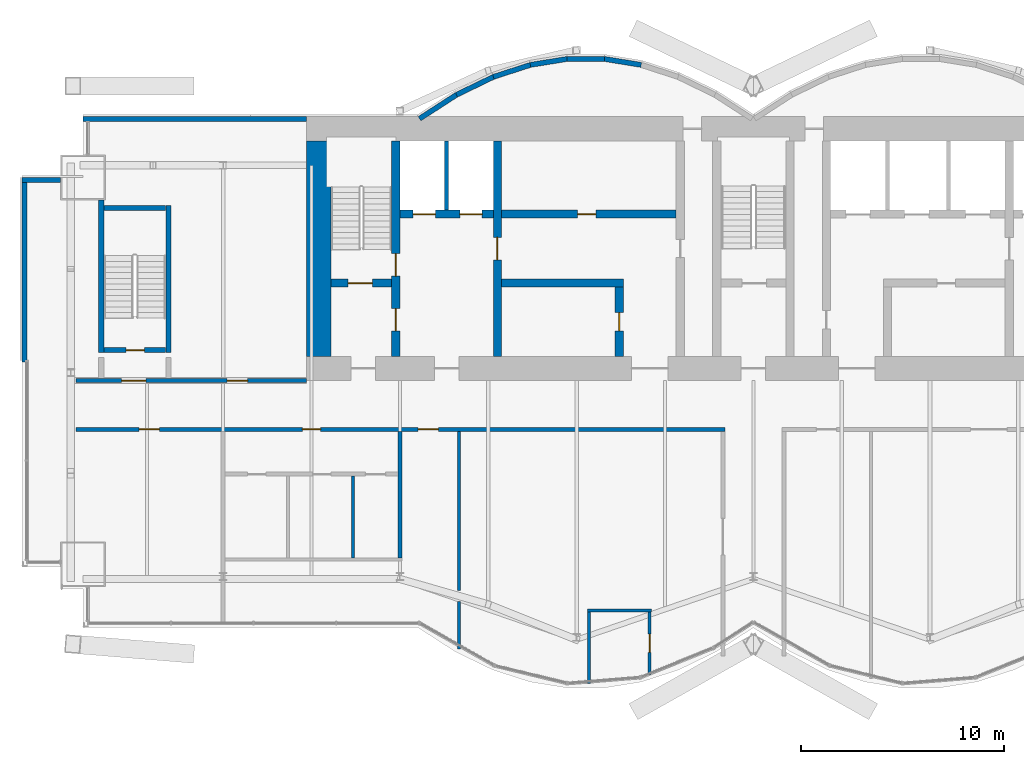
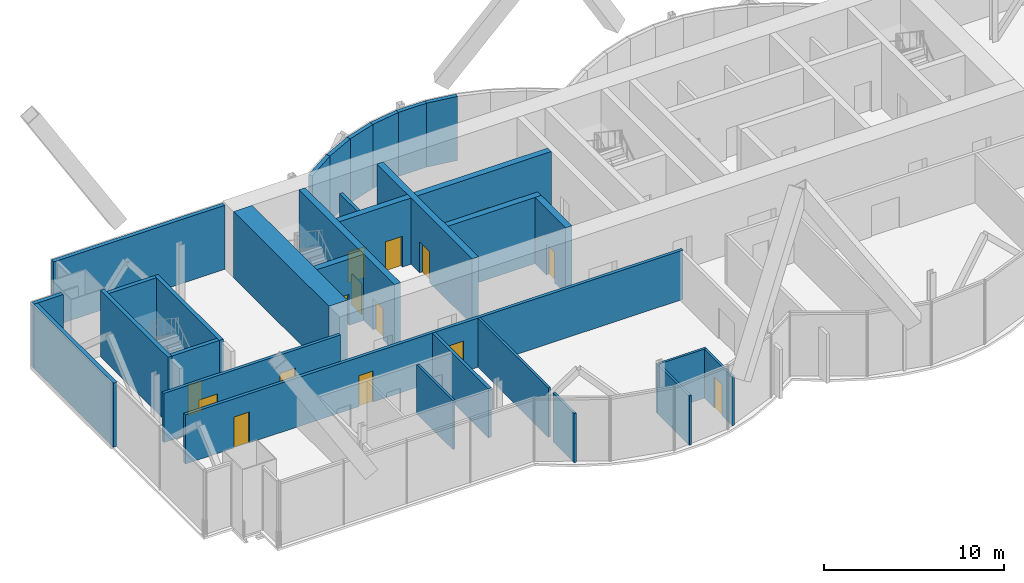
# One storey, part 11 of 17: 30 walls, 15 doors, 15 openings.
"""IFC4 building model written with IfcOpenShell, lengths in metres."""

from ifc_helpers import new_model, si_unit, direction, frame, frame_2d, origin, place, context, subcontext, project, spatial, rectangle, extrude, material, layer, layer_set, layer_usage, type_object, element, fill, save


model = new_model("IFC4")

# Units and contexts
model_context = context("Model", 3, precision=1e-05, world=origin(), true_north=direction((0.0, 1.0)))
body_context = subcontext(model_context, "Body", "Model", "MODEL_VIEW")
ifc_project = project(units=[si_unit("LENGTHUNIT", "METRE"), si_unit("AREAUNIT", "SQUARE_METRE"), si_unit("VOLUMEUNIT", "CUBIC_METRE"), si_unit("PLANEANGLEUNIT", "RADIAN"), si_unit("MASSUNIT", "GRAM", prefix="KILO")], contexts=[model_context])

# Site, building, storey
site_placement = place(None, origin())
site = spatial("IfcSite", under=ifc_project, at=site_placement, CompositionType="ELEMENT")
building_placement = place(site_placement, origin())
building = spatial("IfcBuilding", under=site, at=building_placement, Name="Bicima Exchange Tower", CompositionType="ELEMENT")
storey_placement = place(building_placement, frame((0.0, 0.0, 333.5)))
storey = spatial("IfcBuildingStorey", under=building, at=storey_placement, Name="L75", CompositionType="ELEMENT", Elevation=333.5)

# Wall
ifc_material_1 = material(Name="Gypsum board partition")
ifc_layer_1 = layer(ifc_material_1, 0.199951171875)
ifc_layer_set_1 = layer_set([ifc_layer_1], Name="Gypsum board partition")
wall_type_1 = type_object("IfcWallType", Name="Fire-rated gypsum partition 200 EI120", PredefinedType="PARTITIONING", material=ifc_layer_set_1)
wall_1_placement = place(storey_placement, frame((-15.10009765625, -4.60009765625, 0.0), z_axis=(0.0, 0.0, 1.0), x_axis=(0.0, 1.0, 0.0)))
element("IfcWall", 1, at=wall_1_placement, inside=storey, type_object=wall_type_1, Name="partition wall 9", PredefinedType="PARTITIONING", context=body_context, shape_type="SweptSolid", body=[
    extrude(rectangle(XDim=3.400146484375, YDim=0.199951171875, at=frame_2d((1.7001953125, 0.0))), origin(), (0.0, 0.0, 1.0), 3.33935546875),
])

# Wall, openings, doors
ifc_layer_2 = layer(ifc_material_1, 0.199951171875)
ifc_layer_set_2 = layer_set([ifc_layer_2], Name="Gypsum board partition")
wall_type_2 = type_object("IfcWallType", Name="Fire-rated gypsum partition 200 EI60", PredefinedType="PARTITIONING", material=ifc_layer_set_2)
wall_2_placement = place(storey_placement, frame((-33.340087890625, -15.39990234375, 0.0), z_axis=(0.0, 0.0, 1.0), x_axis=(1.0, 0.0, 0.0)))
wall_2 = element("IfcWall", 2, at=wall_2_placement, inside=storey, type_object=wall_type_2, Name="partition wall 4", PredefinedType="PARTITIONING", context=body_context, shape_type="SweptSolid", body=[
    extrude(rectangle(XDim=31.940185546875, YDim=0.199951171875, at=frame_2d((15.97021484375, 0.0))), origin(), (0.0, 0.0, 1.0), 3.33935546875),
])
opening_1_placement = place(wall_2_placement, frame((3.10009765625, 0.0, 0.0)))
opening_1 = element("IfcOpeningElement", 3, at=opening_1_placement, cuts=wall_2, Name="Opening L75-007", PredefinedType="OPENING", context=body_context, shape_type="SweptSolid", body=[
    extrude(rectangle(XDim=1.0, YDim=2.10009765625, at=frame_2d((0.5, 1.050048828125))), frame((0.0, 0.11181640625, 0.0), z_axis=(0.0, -1.0, 0.0), x_axis=(1.0, 0.0, 0.0)), (0.0, 0.0, 1.0), 0.223876953125),
])
opening_2_placement = place(wall_2_placement, frame((11.139892578125, 0.0, 0.0)))
opening_2 = element("IfcOpeningElement", 4, at=opening_2_placement, cuts=wall_2, Name="Opening L75-008", PredefinedType="OPENING", context=body_context, shape_type="SweptSolid", body=[
    extrude(rectangle(XDim=0.89990234375, YDim=2.10009765625, at=frame_2d((0.449951171875, 1.050048828125))), frame((0.0, 0.11181640625, 0.0), z_axis=(0.0, -1.0, 0.0), x_axis=(1.0, 0.0, 0.0)), (0.0, 0.0, 1.0), 0.223876953125),
])
opening_3_placement = place(wall_2_placement, frame((16.840087890625, 0.0, 0.0)))
opening_3 = element("IfcOpeningElement", 5, at=opening_3_placement, cuts=wall_2, Name="Opening L75-012", PredefinedType="OPENING", context=body_context, shape_type="SweptSolid", body=[
    extrude(rectangle(XDim=1.0, YDim=2.10009765625, at=frame_2d((0.5, 1.050048828125))), frame((0.0, 0.11181640625, 0.0), z_axis=(0.0, -1.0, 0.0), x_axis=(1.0, 0.0, 0.0)), (0.0, 0.0, 1.0), 0.223876953125),
])
ifc_material_2 = material(Name="Steel fire door leaf", Category="steel")
door_type_1 = type_object("IfcDoorType", Name="Door 1000 swing FD30S", OperationType="SINGLE_SWING_LEFT", PredefinedType="DOOR", material=ifc_material_2)
door_1_placement = place(opening_1_placement, frame((1.0, 0.0, 0.0), z_axis=(0.0, 0.0, 1.0), x_axis=(-1.0, 0.0, 0.0)))
door_1 = element("IfcDoor", 6, at=door_1_placement, inside=storey, type_object=door_type_1, Name="Door", OperationType="SINGLE_SWING_LEFT", OverallHeight=2.10009765625, OverallWidth=1.0, PredefinedType="DOOR", context=body_context, shape_type="SweptSolid", body=[
    extrude(rectangle(XDim=1.0, YDim=2.10009765625, at=frame_2d((0.5, 1.050048828125))), frame((0.0, 0.02490234375, 0.0), z_axis=(0.0, -1.0, 0.0), x_axis=(1.0, 0.0, 0.0)), (0.0, 0.0, 1.0), 0.050048828125),
])
fill(opening_1, door_1)
door_2_placement = place(opening_3_placement, frame((1.0, 0.0, 0.0), z_axis=(0.0, 0.0, 1.0), x_axis=(-1.0, 0.0, 0.0)))
door_2 = element("IfcDoor", 7, at=door_2_placement, inside=storey, type_object=door_type_1, Name="Door", OperationType="SINGLE_SWING_RIGHT", OverallHeight=2.10009765625, OverallWidth=1.0, PredefinedType="DOOR", context=body_context, shape_type="SweptSolid", body=[
    extrude(rectangle(XDim=1.0, YDim=2.10009765625, at=frame_2d((0.5, 1.050048828125))), frame((0.0, 0.02490234375, 0.0), z_axis=(0.0, -1.0, 0.0), x_axis=(1.0, 0.0, 0.0)), (0.0, 0.0, 1.0), 0.050048828125),
])
fill(opening_3, door_2)
door_type_2 = type_object("IfcDoorType", Name="Door 900 swing FD30S", OperationType="SINGLE_SWING_LEFT", PredefinedType="DOOR", material=ifc_material_2)
door_3_placement = place(opening_2_placement, frame((0.89990234375, 0.0, 0.0), z_axis=(0.0, 0.0, 1.0), x_axis=(-1.0, 0.0, 0.0)))
door_3 = element("IfcDoor", 8, at=door_3_placement, inside=storey, type_object=door_type_2, Name="Door", OperationType="SINGLE_SWING_RIGHT", OverallHeight=2.10009765625, OverallWidth=0.89990234375, PredefinedType="DOOR", context=body_context, shape_type="SweptSolid", body=[
    extrude(rectangle(XDim=0.89990234375, YDim=2.10009765625, at=frame_2d((0.449951171875, 1.050048828125))), frame((0.0, 0.02490234375, 0.0), z_axis=(0.0, -1.0, 0.0), x_axis=(1.0, 0.0, 0.0)), (0.0, 0.0, 1.0), 0.050048828125),
])
fill(opening_2, door_3)

wall_3_placement = place(storey_placement, frame((-33.340087890625, -13.0, 0.0), z_axis=(0.0, 0.0, 1.0), x_axis=(1.0, 0.0, 0.0)))
wall_3 = element("IfcWall", 9, at=wall_3_placement, inside=storey, type_object=wall_type_2, Name="partition wall 6", PredefinedType="PARTITIONING", context=body_context, shape_type="SweptSolid", body=[
    extrude(rectangle(XDim=11.340087890625, YDim=0.199951171875, at=frame_2d((5.669921875, 0.0))), origin(), (0.0, 0.0, 1.0), 3.33935546875),
])
opening_4_placement = place(wall_3_placement, frame((2.239990234375, 0.0, 0.0)))
opening_4 = element("IfcOpeningElement", 10, at=opening_4_placement, cuts=wall_3, Name="Opening L75-001", PredefinedType="OPENING", context=body_context, shape_type="SweptSolid", body=[
    extrude(rectangle(XDim=1.199951171875, YDim=2.10009765625, at=frame_2d((0.60009765625, 1.050048828125))), frame((0.0, 0.11181640625, 0.0), z_axis=(0.0, -1.0, 0.0), x_axis=(1.0, 0.0, 0.0)), (0.0, 0.0, 1.0), 0.223876953125),
])
opening_5_placement = place(wall_3_placement, frame((7.43994140625, 0.0, 0.0)))
opening_5 = element("IfcOpeningElement", 11, at=opening_5_placement, cuts=wall_3, Name="Opening L75-005", PredefinedType="OPENING", context=body_context, shape_type="SweptSolid", body=[
    extrude(rectangle(XDim=1.0, YDim=2.10009765625, at=frame_2d((0.5, 1.050048828125))), frame((0.0, 0.11181640625, 0.0), z_axis=(0.0, -1.0, 0.0), x_axis=(1.0, 0.0, 0.0)), (0.0, 0.0, 1.0), 0.223876953125),
])
door_4_placement = place(opening_5_placement, origin())
door_4 = element("IfcDoor", 12, at=door_4_placement, inside=storey, type_object=door_type_1, Name="Door", OperationType="SINGLE_SWING_LEFT", OverallHeight=2.10009765625, OverallWidth=1.0, PredefinedType="DOOR", context=body_context, shape_type="SweptSolid", body=[
    extrude(rectangle(XDim=1.0, YDim=2.10009765625, at=frame_2d((0.5, 1.050048828125))), frame((0.0, 0.02490234375, 0.0), z_axis=(0.0, -1.0, 0.0), x_axis=(1.0, 0.0, 0.0)), (0.0, 0.0, 1.0), 0.050048828125),
])
fill(opening_5, door_4)
door_type_3 = type_object("IfcDoorType", Name="Door 1200 swing FD30S", OperationType="SINGLE_SWING_LEFT", PredefinedType="DOOR", material=ifc_material_2)
door_5_placement = place(opening_4_placement, origin())
door_5 = element("IfcDoor", 13, at=door_5_placement, inside=storey, type_object=door_type_3, Name="Door", OperationType="SINGLE_SWING_LEFT", OverallHeight=2.10009765625, OverallWidth=1.199951171875, PredefinedType="DOOR", context=body_context, shape_type="SweptSolid", body=[
    extrude(rectangle(XDim=1.199951171875, YDim=2.10009765625, at=frame_2d((0.60009765625, 1.050048828125))), frame((0.0, 0.02490234375, 0.0), z_axis=(0.0, -1.0, 0.0), x_axis=(1.0, 0.0, 0.0)), (0.0, 0.0, 1.0), 0.050048828125),
])
fill(opening_4, door_5)

# Walls
wall_4_placement = place(storey_placement, frame((-17.39990234375, -21.72509765625, 0.0), z_axis=(0.0, 0.0, 1.0), x_axis=(0.0, 1.0, 0.0)))
element("IfcWall", 14, at=wall_4_placement, inside=storey, type_object=wall_type_2, Name="partition wall 17", PredefinedType="PARTITIONING", context=body_context, shape_type="SweptSolid", body=[
    extrude(rectangle(XDim=6.22509765625, YDim=0.199951171875, at=frame_2d((3.112548828125, 0.0))), origin(), (0.0, 0.0, 1.0), 3.33935546875),
])
ifc_layer_3 = layer(ifc_material_1, 0.14990234375)
ifc_layer_set_3 = layer_set([ifc_layer_3], Name="Gypsum board partition")
wall_type_3 = type_object("IfcWallType", Name="Gypsum partition 150", PredefinedType="PARTITIONING", material=ifc_layer_set_3)
wall_5_placement = place(storey_placement, frame((-8.175048828125, -24.320068359375, 0.0), z_axis=(0.0, 0.0, 1.0), x_axis=(1.0, 0.0, 0.0)))
element("IfcWall", 15, at=wall_5_placement, inside=storey, type_object=wall_type_3, Name="partition wall 1", PredefinedType="PARTITIONING", context=body_context, shape_type="SweptSolid", body=[
    extrude(rectangle(XDim=3.150146484375, YDim=0.14990234375, at=frame_2d((1.5751953125, 0.0))), origin(), (0.0, 0.0, 1.0), 3.33935546875),
])
wall_6_placement = place(storey_placement, frame((-19.699951171875, -21.72509765625, 0.0), z_axis=(0.0, 0.0, 1.0), x_axis=(0.0, 1.0, 0.0)))
element("IfcWall", 16, at=wall_6_placement, inside=storey, type_object=wall_type_3, Name="partition wall 16", PredefinedType="PARTITIONING", context=body_context, shape_type="SweptSolid", body=[
    extrude(rectangle(XDim=4.025146484375, YDim=0.14990234375, at=frame_2d((2.0126953125, 0.0))), origin(), (0.0, 0.0, 1.0), 3.33935546875),
])
wall_7_placement = place(storey_placement, frame((-14.5, -26.199951171875, 0.0), z_axis=(0.0, 0.0, 1.0), x_axis=(0.0, 1.0, 0.0)))
element("IfcWall", 17, at=wall_7_placement, inside=storey, type_object=wall_type_3, Name="partition wall 18", PredefinedType="PARTITIONING", context=body_context, shape_type="SweptSolid", body=[
    extrude(rectangle(XDim=2.329833984375, YDim=0.14990234375, at=frame_2d((1.1650390625, 0.0))), origin(), (0.0, 0.0, 1.0), 3.33935546875),
])
wall_8_placement = place(storey_placement, frame((-14.5, -23.330078125, 0.0), z_axis=(0.0, 0.0, 1.0), x_axis=(0.0, 1.0, 0.0)))
element("IfcWall", 18, at=wall_8_placement, inside=storey, type_object=wall_type_3, Name="partition wall 19", PredefinedType="PARTITIONING", context=body_context, shape_type="SweptSolid", body=[
    extrude(rectangle(XDim=7.830078125, YDim=0.14990234375, at=frame_2d((3.9150390625, 0.0))), origin(), (0.0, 0.0, 1.0), 3.33935546875),
])
wall_9_placement = place(storey_placement, frame((-8.10009765625, -27.919921875, 0.0), z_axis=(0.0, 0.0, 1.0), x_axis=(0.0, 1.0, 0.0)))
element("IfcWall", 19, at=wall_9_placement, inside=storey, type_object=wall_type_3, Name="partition wall 20", PredefinedType="PARTITIONING", context=body_context, shape_type="SweptSolid", body=[
    extrude(rectangle(XDim=3.52490234375, YDim=0.14990234375, at=frame_2d((1.762451171875, 0.0))), origin(), (0.0, 0.0, 1.0), 3.33935546875),
])

# Wall, opening, door
wall_10_placement = place(storey_placement, frame((-5.10009765625, -27.47998046875, 0.0), z_axis=(0.0, 0.0, 1.0), x_axis=(0.0, 1.0, 0.0)))
wall_10 = element("IfcWall", 20, at=wall_10_placement, inside=storey, type_object=wall_type_3, Name="partition wall 21", PredefinedType="PARTITIONING", context=body_context, shape_type="SweptSolid", body=[
    extrude(rectangle(XDim=3.0849609375, YDim=0.14990234375, at=frame_2d((1.54248046875, 0.0))), origin(), (0.0, 0.0, 1.0), 3.33935546875),
])
opening_6_placement = place(wall_10_placement, frame((1.10009765625, 0.0, 0.0)))
opening_6 = element("IfcOpeningElement", 21, at=opening_6_placement, cuts=wall_10, Name="Opening L75-018", PredefinedType="OPENING", context=body_context, shape_type="SweptSolid", body=[
    extrude(rectangle(XDim=0.89990234375, YDim=2.10009765625, at=frame_2d((0.449951171875, 1.050048828125))), frame((0.0, 0.0869140625, 0.0), z_axis=(0.0, -1.0, 0.0), x_axis=(1.0, 0.0, 0.0)), (0.0, 0.0, 1.0), 0.173828125),
])
ifc_material_3 = material(Name="Timber door leaf", Category="wood")
door_type_4 = type_object("IfcDoorType", Name="Door 900 swing", OperationType="SINGLE_SWING_LEFT", PredefinedType="DOOR", material=ifc_material_3)
door_6_placement = place(opening_6_placement, origin())
door_6 = element("IfcDoor", 22, at=door_6_placement, inside=storey, type_object=door_type_4, Name="Door", OperationType="SINGLE_SWING_RIGHT", OverallHeight=2.10009765625, OverallWidth=0.89990234375, PredefinedType="DOOR", context=body_context, shape_type="SweptSolid", body=[
    extrude(rectangle(XDim=0.89990234375, YDim=2.10009765625, at=frame_2d((0.449951171875, 1.050048828125))), frame((0.0, 0.02490234375, 0.0), z_axis=(0.0, -1.0, 0.0), x_axis=(1.0, 0.0, 0.0)), (0.0, 0.0, 1.0), 0.050048828125),
])
fill(opening_6, door_6)

# Walls
ifc_material_4 = material(Name="Concrete C40/50", Category="concrete")
ifc_layer_4 = layer(ifc_material_4, 1.199951171875)
ifc_layer_set_4 = layer_set([ifc_layer_4], Name="Concrete C40/50")
wall_type_4 = type_object("IfcWallType", Name="RC core wall 1200 C40/50", PredefinedType="SHEAR", material=ifc_layer_set_4)
wall_11_placement = place(storey_placement, frame((-21.39990234375, -11.800048828125, 0.0), z_axis=(0.0, 0.0, 1.0), x_axis=(0.0, 1.0, 0.0)))
element("IfcWall", 23, at=wall_11_placement, inside=storey, type_object=wall_type_4, Name="Core wall west", PredefinedType="SHEAR", context=body_context, shape_type="SweptSolid", body=[
    extrude(rectangle(XDim=10.60009765625, YDim=1.199951171875, at=frame_2d((5.300048828125, 0.0))), origin(), (0.0, 0.0, 1.0), 4.5),
])
ifc_layer_5 = layer(ifc_material_4, 0.39990234375)
ifc_layer_set_5 = layer_set([ifc_layer_5], Name="Concrete C40/50")
wall_type_5 = type_object("IfcWallType", Name="RC core wall 400 C40/50", PredefinedType="SHEAR", material=ifc_layer_set_5)
wall_12_placement = place(storey_placement, frame((-12.39990234375, -8.199951171875, 0.0), z_axis=(0.0, 0.0, 1.0), x_axis=(1.0, 0.0, 0.0)))
element("IfcWall", 24, at=wall_12_placement, inside=storey, type_object=wall_type_5, Name="shear wall 2", PredefinedType="SHEAR", context=body_context, shape_type="SweptSolid", body=[
    extrude(rectangle(XDim=6.0, YDim=0.39990234375, at=frame_2d((3.0, 0.0))), origin(), (0.0, 0.0, 1.0), 4.5),
])

# Wall, openings, doors
wall_13_placement = place(storey_placement, frame((-17.39990234375, -4.800048828125, 0.0), z_axis=(0.0, 0.0, 1.0), x_axis=(1.0, 0.0, 0.0)))
wall_13 = element("IfcWall", 25, at=wall_13_placement, inside=storey, type_object=wall_type_5, Name="shear wall 6", PredefinedType="SHEAR", context=body_context, shape_type="SweptSolid", body=[
    extrude(rectangle(XDim=13.599853515625, YDim=0.39990234375, at=frame_2d((6.7998046875, 0.0))), origin(), (0.0, 0.0, 1.0), 4.5),
])
opening_7_placement = place(wall_13_placement, frame((0.64990234375, 0.0, 0.0)))
opening_7 = element("IfcOpeningElement", 26, at=opening_7_placement, cuts=wall_13, Name="Opening LD-FF1-L75", PredefinedType="OPENING", context=body_context, shape_type="SweptSolid", body=[
    extrude(rectangle(XDim=1.10009765625, YDim=2.10009765625, at=frame_2d((0.550048828125, 1.050048828125))), frame((0.0, 0.2119140625, 0.0), z_axis=(0.0, -1.0, 0.0), x_axis=(1.0, 0.0, 0.0)), (0.0, 0.0, 1.0), 0.423828125),
])
opening_8_placement = place(wall_13_placement, frame((2.949951171875, 0.0, 0.0)))
opening_8 = element("IfcOpeningElement", 27, at=opening_8_placement, cuts=wall_13, Name="Opening LD-FF3-L75", PredefinedType="OPENING", context=body_context, shape_type="SweptSolid", body=[
    extrude(rectangle(XDim=1.10009765625, YDim=2.10009765625, at=frame_2d((0.550048828125, 1.050048828125))), frame((0.0, 0.2119140625, 0.0), z_axis=(0.0, -1.0, 0.0), x_axis=(1.0, 0.0, 0.0)), (0.0, 0.0, 1.0), 0.423828125),
])
opening_9_placement = place(wall_13_placement, frame((8.75, 0.0, 0.0)))
opening_9 = element("IfcOpeningElement", 28, at=opening_9_placement, cuts=wall_13, Name="Opening L75-C12", PredefinedType="OPENING", context=body_context, shape_type="SweptSolid", body=[
    extrude(rectangle(XDim=0.89990234375, YDim=2.10009765625, at=frame_2d((0.449951171875, 1.050048828125))), frame((0.0, 0.2119140625, 0.0), z_axis=(0.0, -1.0, 0.0), x_axis=(1.0, 0.0, 0.0)), (0.0, 0.0, 1.0), 0.423828125),
])
door_7_placement = place(opening_9_placement, origin())
door_7 = element("IfcDoor", 29, at=door_7_placement, inside=storey, type_object=door_type_2, Name="Core door", OperationType="SINGLE_SWING_RIGHT", OverallHeight=2.10009765625, OverallWidth=0.89990234375, PredefinedType="DOOR", context=body_context, shape_type="SweptSolid", body=[
    extrude(rectangle(XDim=0.89990234375, YDim=2.10009765625, at=frame_2d((0.449951171875, 1.050048828125))), frame((0.0, 0.02490234375, 0.0), z_axis=(0.0, -1.0, 0.0), x_axis=(1.0, 0.0, 0.0)), (0.0, 0.0, 1.0), 0.050048828125),
])
fill(opening_9, door_7)
ifc_material_5 = material(Name="Stainless steel", Category="steel")
door_type_5 = type_object("IfcDoorType", Name="Lift landing door 1100 sliding", OperationType="DOUBLE_DOOR_SLIDING", PredefinedType="DOOR", material=ifc_material_5)
door_8_placement = place(opening_7_placement, origin())
door_8 = element("IfcDoor", 30, at=door_8_placement, inside=storey, type_object=door_type_5, Name="Lift landing door FF1", OperationType="DOUBLE_DOOR_SLIDING", OverallHeight=2.10009765625, OverallWidth=1.10009765625, PredefinedType="DOOR", context=body_context, shape_type="SweptSolid", body=[
    extrude(rectangle(XDim=1.10009765625, YDim=2.10009765625, at=frame_2d((0.550048828125, 1.050048828125))), frame((0.0, 0.02490234375, 0.0), z_axis=(0.0, -1.0, 0.0), x_axis=(1.0, 0.0, 0.0)), (0.0, 0.0, 1.0), 0.050048828125),
])
fill(opening_7, door_8)
door_9_placement = place(opening_8_placement, origin())
door_9 = element("IfcDoor", 31, at=door_9_placement, inside=storey, type_object=door_type_5, Name="Lift landing door FF3", OperationType="DOUBLE_DOOR_SLIDING", OverallHeight=2.10009765625, OverallWidth=1.10009765625, PredefinedType="DOOR", context=body_context, shape_type="SweptSolid", body=[
    extrude(rectangle(XDim=1.10009765625, YDim=2.10009765625, at=frame_2d((0.550048828125, 1.050048828125))), frame((0.0, 0.02490234375, 0.0), z_axis=(0.0, -1.0, 0.0), x_axis=(1.0, 0.0, 0.0)), (0.0, 0.0, 1.0), 0.050048828125),
])
fill(opening_8, door_9)

# Wall, opening, door
wall_14_placement = place(storey_placement, frame((-12.60009765625, -11.800048828125, 0.0), z_axis=(0.0, 0.0, 1.0), x_axis=(0.0, 1.0, 0.0)))
wall_14 = element("IfcWall", 32, at=wall_14_placement, inside=storey, type_object=wall_type_5, Name="shear wall 10", PredefinedType="SHEAR", context=body_context, shape_type="SweptSolid", body=[
    extrude(rectangle(XDim=10.60009765625, YDim=0.39990234375, at=frame_2d((5.300048828125, 0.0))), origin(), (0.0, 0.0, 1.0), 4.5),
])
opening_10_placement = place(wall_14_placement, frame((4.75, 0.0, 0.0)))
opening_10 = element("IfcOpeningElement", 33, at=opening_10_placement, cuts=wall_14, Name="Opening L75-C07", PredefinedType="OPENING", context=body_context, shape_type="SweptSolid", body=[
    extrude(rectangle(XDim=1.10009765625, YDim=2.10009765625, at=frame_2d((0.550048828125, 1.050048828125))), frame((0.0, 0.2119140625, 0.0), z_axis=(0.0, -1.0, 0.0), x_axis=(1.0, 0.0, 0.0)), (0.0, 0.0, 1.0), 0.423828125),
])
door_type_6 = type_object("IfcDoorType", Name="Door 1100 swing FD60S", OperationType="SINGLE_SWING_LEFT", PredefinedType="DOOR", material=ifc_material_2)
door_10_placement = place(opening_10_placement, origin())
door_10 = element("IfcDoor", 34, at=door_10_placement, inside=storey, type_object=door_type_6, Name="Core door", OperationType="SINGLE_SWING_LEFT", OverallHeight=2.10009765625, OverallWidth=1.10009765625, PredefinedType="DOOR", context=body_context, shape_type="SweptSolid", body=[
    extrude(rectangle(XDim=1.10009765625, YDim=2.10009765625, at=frame_2d((0.550048828125, 1.050048828125))), frame((0.0, 0.02490234375, 0.0), z_axis=(0.0, -1.0, 0.0), x_axis=(1.0, 0.0, 0.0)), (0.0, 0.0, 1.0), 0.050048828125),
])
fill(opening_10, door_10)

wall_15_placement = place(storey_placement, frame((-6.60009765625, -11.800048828125, 0.0), z_axis=(0.0, 0.0, 1.0), x_axis=(0.0, 1.0, 0.0)))
wall_15 = element("IfcWall", 35, at=wall_15_placement, inside=storey, type_object=wall_type_5, Name="shear wall 11", PredefinedType="SHEAR", context=body_context, shape_type="SweptSolid", body=[
    extrude(rectangle(XDim=3.400146484375, YDim=0.39990234375, at=frame_2d((1.7001953125, 0.0))), origin(), (0.0, 0.0, 1.0), 4.5),
])
opening_11_placement = place(wall_15_placement, frame((1.25, 0.0, 0.0)))
opening_11 = element("IfcOpeningElement", 36, at=opening_11_placement, cuts=wall_15, Name="Opening L75-C13", PredefinedType="OPENING", context=body_context, shape_type="SweptSolid", body=[
    extrude(rectangle(XDim=0.89990234375, YDim=2.10009765625, at=frame_2d((0.449951171875, 1.050048828125))), frame((0.0, 0.2119140625, 0.0), z_axis=(0.0, -1.0, 0.0), x_axis=(1.0, 0.0, 0.0)), (0.0, 0.0, 1.0), 0.423828125),
])
door_11_placement = place(opening_11_placement, origin())
door_11 = element("IfcDoor", 37, at=door_11_placement, inside=storey, type_object=door_type_2, Name="Core door", OperationType="SINGLE_SWING_LEFT", OverallHeight=2.10009765625, OverallWidth=0.89990234375, PredefinedType="DOOR", context=body_context, shape_type="SweptSolid", body=[
    extrude(rectangle(XDim=0.89990234375, YDim=2.10009765625, at=frame_2d((0.449951171875, 1.050048828125))), frame((0.0, 0.02490234375, 0.0), z_axis=(0.0, -1.0, 0.0), x_axis=(1.0, 0.0, 0.0)), (0.0, 0.0, 1.0), 0.050048828125),
])
fill(opening_11, door_11)

ifc_material_6 = material(Name="Concrete C50/60", Category="concrete")
ifc_layer_6 = layer(ifc_material_6, 0.39990234375)
ifc_layer_set_6 = layer_set([ifc_layer_6], Name="Concrete C50/60")
wall_type_6 = type_object("IfcWallType", Name="RC core wall 400 C50/60", PredefinedType="SHEAR", material=ifc_layer_set_6)
wall_16_placement = place(storey_placement, frame((-20.800048828125, -8.199951171875, 0.0), z_axis=(0.0, 0.0, 1.0), x_axis=(1.0, 0.0, 0.0)))
wall_16 = element("IfcWall", 38, at=wall_16_placement, inside=storey, type_object=wall_type_6, Name="stair wall 1", PredefinedType="SHEAR", context=body_context, shape_type="SweptSolid", body=[
    extrude(rectangle(XDim=3.0, YDim=0.39990234375, at=frame_2d((1.5, 0.0))), origin(), (0.0, 0.0, 1.0), 4.5),
])
opening_12_placement = place(wall_16_placement, frame((0.85009765625, 0.0, 0.0)))
opening_12 = element("IfcOpeningElement", 39, at=opening_12_placement, cuts=wall_16, Name="Opening L75-C01", PredefinedType="OPENING", context=body_context, shape_type="SweptSolid", body=[
    extrude(rectangle(XDim=1.199951171875, YDim=2.10009765625, at=frame_2d((0.60009765625, 1.050048828125))), frame((0.0, 0.2119140625, 0.0), z_axis=(0.0, -1.0, 0.0), x_axis=(1.0, 0.0, 0.0)), (0.0, 0.0, 1.0), 0.423828125),
])
door_type_7 = type_object("IfcDoorType", Name="Door 1200 swing FD60S", OperationType="SINGLE_SWING_LEFT", PredefinedType="DOOR", material=ifc_material_2)
door_12_placement = place(opening_12_placement, origin())
door_12 = element("IfcDoor", 40, at=door_12_placement, inside=storey, type_object=door_type_7, Name="Core door", OperationType="SINGLE_SWING_LEFT", OverallHeight=2.10009765625, OverallWidth=1.199951171875, PredefinedType="DOOR", context=body_context, shape_type="SweptSolid", body=[
    extrude(rectangle(XDim=1.199951171875, YDim=2.10009765625, at=frame_2d((0.60009765625, 1.050048828125))), frame((0.0, 0.02490234375, 0.0), z_axis=(0.0, -1.0, 0.0), x_axis=(1.0, 0.0, 0.0)), (0.0, 0.0, 1.0), 0.050048828125),
])
fill(opening_12, door_12)

# Wall, openings, doors
wall_17_placement = place(storey_placement, frame((-17.60009765625, -11.800048828125, 0.0), z_axis=(0.0, 0.0, 1.0), x_axis=(0.0, 1.0, 0.0)))
wall_17 = element("IfcWall", 41, at=wall_17_placement, inside=storey, type_object=wall_type_6, Name="stair wall 8", PredefinedType="SHEAR", context=body_context, shape_type="SweptSolid", body=[
    extrude(rectangle(XDim=10.60009765625, YDim=0.39990234375, at=frame_2d((5.300048828125, 0.0))), origin(), (0.0, 0.0, 1.0), 4.5),
])
opening_13_placement = place(wall_17_placement, frame((1.25, 0.0, 0.0)))
opening_13 = element("IfcOpeningElement", 42, at=opening_13_placement, cuts=wall_17, Name="Opening L75-C02", PredefinedType="OPENING", context=body_context, shape_type="SweptSolid", body=[
    extrude(rectangle(XDim=1.10009765625, YDim=2.10009765625, at=frame_2d((0.550048828125, 1.050048828125))), frame((0.0, 0.2119140625, 0.0), z_axis=(0.0, -1.0, 0.0), x_axis=(1.0, 0.0, 0.0)), (0.0, 0.0, 1.0), 0.423828125),
])
opening_14_placement = place(wall_17_placement, frame((3.949951171875, 0.0, 0.0)))
opening_14 = element("IfcOpeningElement", 43, at=opening_14_placement, cuts=wall_17, Name="Opening L75-C06", PredefinedType="OPENING", context=body_context, shape_type="SweptSolid", body=[
    extrude(rectangle(XDim=1.10009765625, YDim=2.10009765625, at=frame_2d((0.550048828125, 1.050048828125))), frame((0.0, 0.2119140625, 0.0), z_axis=(0.0, -1.0, 0.0), x_axis=(1.0, 0.0, 0.0)), (0.0, 0.0, 1.0), 0.423828125),
])
door_13_placement = place(opening_13_placement, frame((1.10009765625, 0.0, 0.0), z_axis=(0.0, 0.0, 1.0), x_axis=(-1.0, 0.0, 0.0)))
door_13 = element("IfcDoor", 44, at=door_13_placement, inside=storey, type_object=door_type_6, Name="Core door", OperationType="SINGLE_SWING_LEFT", OverallHeight=2.10009765625, OverallWidth=1.10009765625, PredefinedType="DOOR", context=body_context, shape_type="SweptSolid", body=[
    extrude(rectangle(XDim=1.10009765625, YDim=2.10009765625, at=frame_2d((0.550048828125, 1.050048828125))), frame((0.0, 0.02490234375, 0.0), z_axis=(0.0, -1.0, 0.0), x_axis=(1.0, 0.0, 0.0)), (0.0, 0.0, 1.0), 0.050048828125),
])
fill(opening_13, door_13)
door_14_placement = place(opening_14_placement, frame((1.10009765625, 0.0, 0.0), z_axis=(0.0, 0.0, 1.0), x_axis=(-1.0, 0.0, 0.0)))
door_14 = element("IfcDoor", 45, at=door_14_placement, inside=storey, type_object=door_type_6, Name="Core door", OperationType="SINGLE_SWING_LEFT", OverallHeight=2.10009765625, OverallWidth=1.10009765625, PredefinedType="DOOR", context=body_context, shape_type="SweptSolid", body=[
    extrude(rectangle(XDim=1.10009765625, YDim=2.10009765625, at=frame_2d((0.550048828125, 1.050048828125))), frame((0.0, 0.02490234375, 0.0), z_axis=(0.0, -1.0, 0.0), x_axis=(1.0, 0.0, 0.0)), (0.0, 0.0, 1.0), 0.050048828125),
])
fill(opening_14, door_14)

# Walls
ifc_layer_7 = layer(ifc_material_6, 0.25)
ifc_layer_set_7 = layer_set([ifc_layer_7], Name="Concrete C50/60")
wall_type_7 = type_object("IfcWallType", Name="RC stair enclosure wall 250 C50/60", PredefinedType="SHEAR", material=ifc_layer_set_7)
wall_18_placement = place(storey_placement, frame((-32.10009765625, -11.625, 0.0), z_axis=(0.0, 0.0, 1.0), x_axis=(0.0, 1.0, 0.0)))
element("IfcWall", 46, at=wall_18_placement, inside=storey, type_object=wall_type_7, Name="West end exit stair wall W", PredefinedType="SHEAR", context=body_context, shape_type="SweptSolid", body=[
    extrude(rectangle(XDim=7.52490234375, YDim=0.25, at=frame_2d((3.762451171875, 0.0))), origin(), (0.0, 0.0, 1.0), 4.5),
])
wall_19_placement = place(storey_placement, frame((-28.800048828125, -11.625, 0.0), z_axis=(0.0, 0.0, 1.0), x_axis=(0.0, 1.0, 0.0)))
element("IfcWall", 47, at=wall_19_placement, inside=storey, type_object=wall_type_7, Name="West end exit stair wall E", PredefinedType="SHEAR", context=body_context, shape_type="SweptSolid", body=[
    extrude(rectangle(XDim=7.25, YDim=0.25, at=frame_2d((3.625, 0.0))), origin(), (0.0, 0.0, 1.0), 4.5),
])

# Wall, opening, door
wall_20_placement = place(storey_placement, frame((-31.97509765625, -11.5, 0.0), z_axis=(0.0, 0.0, 1.0), x_axis=(1.0, 0.0, 0.0)))
wall_20 = element("IfcWall", 48, at=wall_20_placement, inside=storey, type_object=wall_type_7, Name="West end exit stair wall S", PredefinedType="SHEAR", context=body_context, shape_type="SweptSolid", body=[
    extrude(rectangle(XDim=3.050048828125, YDim=0.25, at=frame_2d((1.52490234375, 0.0))), origin(), (0.0, 0.0, 1.0), 4.5),
])
opening_15_placement = place(wall_20_placement, frame((1.10009765625, 0.0, 0.0)))
opening_15 = element("IfcOpeningElement", 49, at=opening_15_placement, cuts=wall_20, Name="Opening L75-002", PredefinedType="OPENING", context=body_context, shape_type="SweptSolid", body=[
    extrude(rectangle(XDim=0.89990234375, YDim=2.10009765625, at=frame_2d((0.449951171875, 1.050048828125))), frame((0.0, 0.136962890625, 0.0), z_axis=(0.0, -1.0, 0.0), x_axis=(1.0, 0.0, 0.0)), (0.0, 0.0, 1.0), 0.27392578125),
])
door_type_8 = type_object("IfcDoorType", Name="Door 900 swing FD60S", OperationType="SINGLE_SWING_LEFT", PredefinedType="DOOR", material=ifc_material_2)
door_15_placement = place(opening_15_placement, origin())
door_15 = element("IfcDoor", 50, at=door_15_placement, inside=storey, type_object=door_type_8, Name="Door", OperationType="SINGLE_SWING_LEFT", OverallHeight=2.10009765625, OverallWidth=0.89990234375, PredefinedType="DOOR", context=body_context, shape_type="SweptSolid", body=[
    extrude(rectangle(XDim=0.89990234375, YDim=2.10009765625, at=frame_2d((0.449951171875, 1.050048828125))), frame((0.0, 0.02490234375, 0.0), z_axis=(0.0, -1.0, 0.0), x_axis=(1.0, 0.0, 0.0)), (0.0, 0.0, 1.0), 0.050048828125),
])
fill(opening_15, door_15)

# Walls
wall_21_placement = place(storey_placement, frame((-31.97509765625, -4.5, 0.0), z_axis=(0.0, 0.0, 1.0), x_axis=(1.0, 0.0, 0.0)))
element("IfcWall", 51, at=wall_21_placement, inside=storey, type_object=wall_type_7, Name="West end exit stair wall N", PredefinedType="SHEAR", context=body_context, shape_type="SweptSolid", body=[
    extrude(rectangle(XDim=3.050048828125, YDim=0.25, at=frame_2d((1.52490234375, 0.0))), origin(), (0.0, 0.0, 1.0), 4.5),
])
ifc_layer_8 = layer(ifc_material_4, 0.25)
ifc_layer_set_8 = layer_set([ifc_layer_8], Name="Concrete C40/50")
ifc_layer_usage = layer_usage(ifc_layer_set_8, "AXIS2", "POSITIVE", -0.125)
wall_type_8 = type_object("IfcWallType", Name="Rear backup wall 250", PredefinedType="STANDARD", material=ifc_layer_set_8)
wall_22_placement = place(storey_placement, frame((-5.52001953125, 2.543212890625, 0.0), z_axis=(0.0, 0.0, 1.0), x_axis=(-0.987181718931, 0.159600293885, 0.0)))
element("IfcWall", 52, at=wall_22_placement, inside=storey, type_object=wall_type_8, material=ifc_layer_usage, Name="Rear backup wall L75 14", PredefinedType="STANDARD", context=body_context, shape_type="SweptSolid", body=[
    extrude(rectangle(XDim=1.857177734375, YDim=0.25, at=frame_2d((0.9287109375, 0.0))), origin(), (0.0, 0.0, 1.0), 4.35009765625),
])
wall_23_placement = place(storey_placement, frame((-7.333251953125, 2.837890625, 0.0), z_axis=(0.0, 0.0, 1.0), x_axis=(-1.0, 0.0, 0.0)))
element("IfcWall", 53, at=wall_23_placement, inside=storey, type_object=wall_type_8, material=ifc_layer_usage, Name="Rear backup wall L75 15", PredefinedType="STANDARD", context=body_context, shape_type="SweptSolid", body=[
    extrude(rectangle(XDim=1.83349609375, YDim=0.25, at=frame_2d((0.916748046875, 0.0))), origin(), (0.0, 0.0, 1.0), 4.35009765625),
])
wall_24_placement = place(storey_placement, frame((-9.146728515625, 2.839599609375, 0.0), z_axis=(0.0, 0.0, 1.0), x_axis=(-0.987181718931, -0.159600293885, 0.0)))
element("IfcWall", 54, at=wall_24_placement, inside=storey, type_object=wall_type_8, material=ifc_layer_usage, Name="Rear backup wall L75 16", PredefinedType="STANDARD", context=body_context, shape_type="SweptSolid", body=[
    extrude(rectangle(XDim=1.857177734375, YDim=0.25, at=frame_2d((0.9287109375, 0.0))), origin(), (0.0, 0.0, 1.0), 4.35009765625),
])
wall_25_placement = place(storey_placement, frame((-10.961669921875, 2.5478515625, 0.0), z_axis=(0.0, 0.0, 1.0), x_axis=(-0.951495806175, -0.307661714928, 0.0)))
element("IfcWall", 55, at=wall_25_placement, inside=storey, type_object=wall_type_8, material=ifc_layer_usage, Name="Rear backup wall L75 17", PredefinedType="STANDARD", context=body_context, shape_type="SweptSolid", body=[
    extrude(rectangle(XDim=1.9267578125, YDim=0.25, at=frame_2d((0.96337890625, 0.0))), origin(), (0.0, 0.0, 1.0), 4.35009765625),
])
wall_26_placement = place(storey_placement, frame((-12.77880859375, 1.961669921875, 0.0), z_axis=(0.0, 0.0, 1.0), x_axis=(-0.89982408427, -0.436252928206, 0.0)))
element("IfcWall", 56, at=wall_26_placement, inside=storey, type_object=wall_type_8, material=ifc_layer_usage, Name="Rear backup wall L75 18", PredefinedType="STANDARD", context=body_context, shape_type="SweptSolid", body=[
    extrude(rectangle(XDim=2.03759765625, YDim=0.25, at=frame_2d((1.018798828125, 0.0))), origin(), (0.0, 0.0, 1.0), 4.35009765625),
])
wall_27_placement = place(storey_placement, frame((-14.598876953125, 1.080078125, 0.0), z_axis=(0.0, 0.0, 1.0), x_axis=(-0.83981312244, -0.542875602121, 0.0)))
element("IfcWall", 57, at=wall_27_placement, inside=storey, type_object=wall_type_8, material=ifc_layer_usage, Name="Rear backup wall L75 19", PredefinedType="STANDARD", context=body_context, shape_type="SweptSolid", body=[
    extrude(rectangle(XDim=2.182861328125, YDim=0.25, at=frame_2d((1.09130859375, 0.0))), origin(), (0.0, 0.0, 1.0), 4.35009765625),
])
wall_28_placement = place(storey_placement, frame((-22.0, -0.125, 0.0), z_axis=(0.0, 0.0, 1.0), x_axis=(-1.0, 0.0, 0.0)))
element("IfcWall", 58, at=wall_28_placement, inside=storey, type_object=wall_type_8, material=ifc_layer_usage, Name="Rear backup wall L75 20", PredefinedType="STANDARD", context=body_context, shape_type="SweptSolid", body=[
    extrude(rectangle(XDim=11.0, YDim=0.25, at=frame_2d((5.5, 0.0))), origin(), (0.0, 0.0, 1.0), 4.35009765625),
])
wall_29_placement = place(storey_placement, frame((-34.10009765625, -3.125, 0.0), z_axis=(0.0, 0.0, 1.0), x_axis=(-1.0, 0.0, 0.0)))
element("IfcWall", 59, at=wall_29_placement, inside=storey, type_object=wall_type_8, material=ifc_layer_usage, Name="Rear backup wall L75 22", PredefinedType="STANDARD", context=body_context, shape_type="SweptSolid", body=[
    extrude(rectangle(XDim=1.89990234375, YDim=0.25, at=frame_2d((0.949951171875, 0.0))), origin(), (0.0, 0.0, 1.0), 4.35009765625),
])
wall_30_placement = place(storey_placement, frame((-35.875, -3.0, 0.0), z_axis=(0.0, 0.0, 1.0), x_axis=(0.0, -1.0, 0.0)))
element("IfcWall", 60, at=wall_30_placement, inside=storey, type_object=wall_type_8, material=ifc_layer_usage, Name="Rear backup wall L75 23", PredefinedType="STANDARD", context=body_context, shape_type="SweptSolid", body=[
    extrude(rectangle(XDim=9.090087890625, YDim=0.25, at=frame_2d((4.544921875, 0.0))), origin(), (0.0, 0.0, 1.0), 4.35009765625),
])

save(model, "model.ifc")
